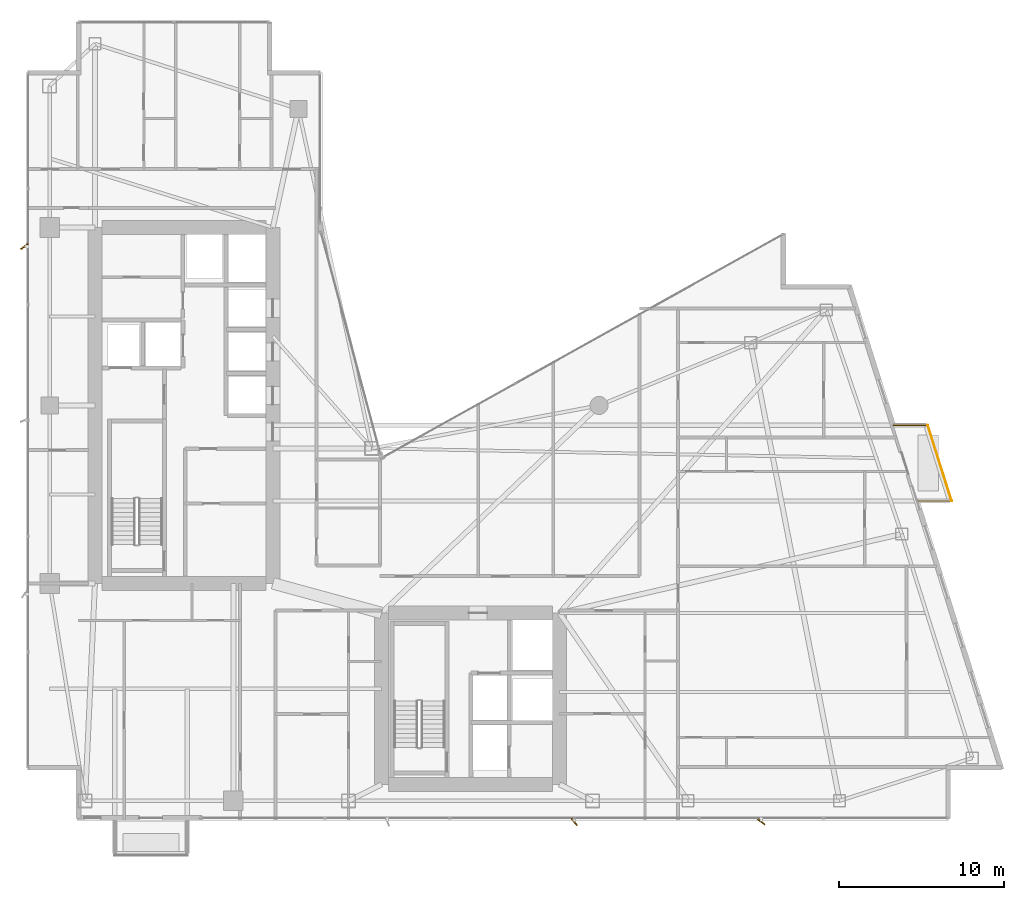
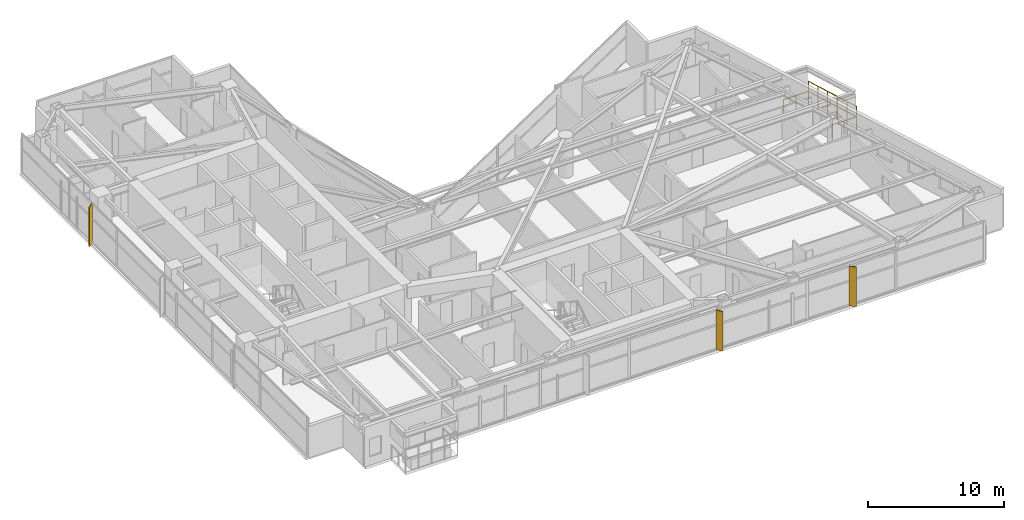
# One storey, part 28 of 28: 3 shading devices, 2 railings.
"""IFC4 building model written with IfcOpenShell, lengths in metres."""

from ifc_helpers import new_model, si_unit, direction, frame, origin, origin_2d, place, context, subcontext, project, spatial, rectangle, circle, extrude, material, type_object, element, save


model = new_model("IFC4")

# Units and contexts
model_context = context("Model", 3, precision=1e-05, world=origin(), true_north=direction((0.0, 1.0)))
body_context = subcontext(model_context, "Body", "Model", "MODEL_VIEW")
ifc_project = project(units=[si_unit("LENGTHUNIT", "METRE"), si_unit("AREAUNIT", "SQUARE_METRE"), si_unit("VOLUMEUNIT", "CUBIC_METRE"), si_unit("PLANEANGLEUNIT", "RADIAN"), si_unit("MASSUNIT", "GRAM", prefix="KILO")], contexts=[model_context])

# Site, building, storey
site_placement = place(None, origin())
site = spatial("IfcSite", under=ifc_project, at=site_placement, CompositionType="ELEMENT")
building_placement = place(site_placement, origin())
building = spatial("IfcBuilding", under=site, at=building_placement, Name="Calvorn Quay Hotel", CompositionType="ELEMENT")
storey_placement = place(building_placement, frame((0.0, 0.0, 112.60009765625)))
storey = spatial("IfcBuildingStorey", under=building, at=storey_placement, Name="L27", CompositionType="ELEMENT", Elevation=112.60009765625)

# Railings
ifc_material_1 = material(Name="Pale Anodised Aluminium and Laminated Glass", Category="aluminium")
railing_type = type_object("IfcRailingType", Name="RLG-BALUSTRADE-1200", PredefinedType="BALUSTRADE", material=ifc_material_1)
railing_1_placement = place(storey_placement, frame((54.10595703125, 21.800048828125, 0.0)))
element("IfcRailing", 1, at=railing_1_placement, inside=storey, type_object=railing_type, Name="Tree Balcony Perimeter Balustrade L27-BALC-E", PredefinedType="BALUSTRADE", context=body_context, shape_type="SweptSolid", body=[
    extrude(circle(Radius=0.02392578125, at=origin_2d()), frame((0.0, 0.0, 1.17578125), z_axis=(1.0, 0.0, 0.0), x_axis=(0.0, 1.0, 0.0)), (0.0, 0.0, 1.0), 2.10009765625),
    extrude(circle(Radius=0.02392578125, at=origin_2d()), frame((2.10009765625, 0.0, 1.17578125), z_axis=(-0.300450487966, 0.953797412599, 0.0), x_axis=(-0.953797412599, -0.300450487966, 0.0)), (0.0, 0.0, 1.0), 4.82275390625),
    extrude(circle(Radius=0.02392578125, at=origin_2d()), frame((0.651123046875, 4.599853515625, 1.17578125), z_axis=(-1.0, 0.0, 0.0), x_axis=(0.0, -1.0, 0.0)), (0.0, 0.0, 1.0), 2.10009765625),
    extrude(circle(Radius=0.02099609375, at=origin_2d()), origin(), (0.0, 0.0, 1.0), 1.15185546875),
    extrude(circle(Radius=0.02099609375, at=origin_2d()), frame((1.050048828125, 0.0, 0.0)), (0.0, 0.0, 1.0), 1.15185546875),
    extrude(circle(Radius=0.02099609375, at=origin_2d()), frame((2.10009765625, 0.0, 0.0)), (0.0, 0.0, 1.0), 1.15185546875),
    extrude(circle(Radius=0.02099609375, at=origin_2d()), frame((1.810302734375, 0.919921875, 0.0)), (0.0, 0.0, 1.0), 1.15185546875),
    extrude(circle(Radius=0.02099609375, at=origin_2d()), frame((1.5205078125, 1.83984375, 0.0)), (0.0, 0.0, 1.0), 1.15185546875),
    extrude(circle(Radius=0.02099609375, at=origin_2d()), frame((1.230712890625, 2.760009765625, 0.0)), (0.0, 0.0, 1.0), 1.15185546875),
    extrude(circle(Radius=0.02099609375, at=origin_2d()), frame((0.94091796875, 3.679931640625, 0.0)), (0.0, 0.0, 1.0), 1.15185546875),
    extrude(circle(Radius=0.02099609375, at=origin_2d()), frame((0.651123046875, 4.599853515625, 0.0)), (0.0, 0.0, 1.0), 1.15185546875),
    extrude(circle(Radius=0.02099609375, at=origin_2d()), frame((-0.39892578125, 4.599853515625, 0.0)), (0.0, 0.0, 1.0), 1.15185546875),
    extrude(circle(Radius=0.02099609375, at=origin_2d()), frame((-1.448974609375, 4.599853515625, 0.0)), (0.0, 0.0, 1.0), 1.15185546875),
])
railing_2_placement = place(storey_placement, frame((56.2060546875, 21.800048828125, 0.89990234375)))
element("IfcRailing", 2, at=railing_2_placement, inside=storey, type_object=railing_type, Name="Planter Kerb High Safety Screen L27-BALC-E", PredefinedType="BALUSTRADE", context=body_context, shape_type="SweptSolid", body=[
    extrude(circle(Radius=0.02392578125, at=origin_2d()), frame((0.0, 0.0, 1.19580078125), z_axis=(-0.300450487966, 0.953797412599, 0.0), x_axis=(-0.953797412599, -0.300450487966, 0.0)), (0.0, 0.0, 1.0), 4.82275390625),
    extrude(circle(Radius=0.02099609375, at=origin_2d()), origin(), (0.0, 0.0, 1.0), 1.171875),
    extrude(circle(Radius=0.02099609375, at=origin_2d()), frame((-0.289794921875, 0.919921875, 0.0)), (0.0, 0.0, 1.0), 1.171875),
    extrude(circle(Radius=0.02099609375, at=origin_2d()), frame((-0.57958984375, 1.83984375, 0.0)), (0.0, 0.0, 1.0), 1.171875),
    extrude(circle(Radius=0.02099609375, at=origin_2d()), frame((-0.869384765625, 2.760009765625, 0.0)), (0.0, 0.0, 1.0), 1.171875),
    extrude(circle(Radius=0.02099609375, at=origin_2d()), frame((-1.1591796875, 3.679931640625, 0.0)), (0.0, 0.0, 1.0), 1.171875),
    extrude(circle(Radius=0.02099609375, at=origin_2d()), frame((-1.448974609375, 4.599853515625, 0.0)), (0.0, 0.0, 1.0), 1.171875),
])

# Shading devices
ifc_material_2 = material(Name="Champagne Bronze Anodised Aluminium 6063-T6", Category="aluminium")
shading_device_type_1 = type_object("IfcShadingDeviceType", Name="SHD-FIN-A2", PredefinedType="USERDEFINED", material=ifc_material_2)
for number, where, z_axis, x_axis, name in (
    (3, (-0.080078125, 37.25, -0.000244140625), (0.0, 0.0, 1.0), (0.788010753607, 0.615661475326, 0.0), "Diagonal Sun-Shading Fin L27-W03"),
    (4, (33.300048828125, 2.320068359375, -0.000244140625), (0.0, 0.0, 1.0), (-0.615661475326, 0.788010753607, 0.0), "Diagonal Sun-Shading Fin L27-S02"),
):
    element("IfcShadingDevice", number, at=place(storey_placement, frame(where, z_axis=z_axis, x_axis=x_axis)), inside=storey, type_object=shading_device_type_1, Name=name, ObjectType="FIN", PredefinedType="USERDEFINED", context=body_context, shape_type="SweptSolid", body=[
        extrude(rectangle(XDim=0.550048828125, YDim=0.080078125, at=origin_2d()), origin(), (0.0, 0.0, 1.0), 3.56005859375),
    ])
ifc_material_3 = material(Name="Champagne Bronze Anodised Aluminium 6063-T6", Category="aluminium")
shading_device_type_2 = type_object("IfcShadingDeviceType", Name="SHD-FIN-A3", PredefinedType="USERDEFINED", material=ifc_material_3)
shading_device_placement = place(storey_placement, frame((44.64990234375, 2.320068359375, -0.000244140625), z_axis=(0.0, 0.0, 1.0), x_axis=(-0.809016994375, 0.587785252292, 0.0)))
element("IfcShadingDevice", 5, at=shading_device_placement, inside=storey, type_object=shading_device_type_2, Name="Diagonal Sun-Shading Fin L27-S03", ObjectType="FIN", PredefinedType="USERDEFINED", context=body_context, shape_type="SweptSolid", body=[
    extrude(rectangle(XDim=0.550048828125, YDim=0.080078125, at=origin_2d()), origin(), (0.0, 0.0, 1.0), 3.56005859375),
])

save(model, "model.ifc")
